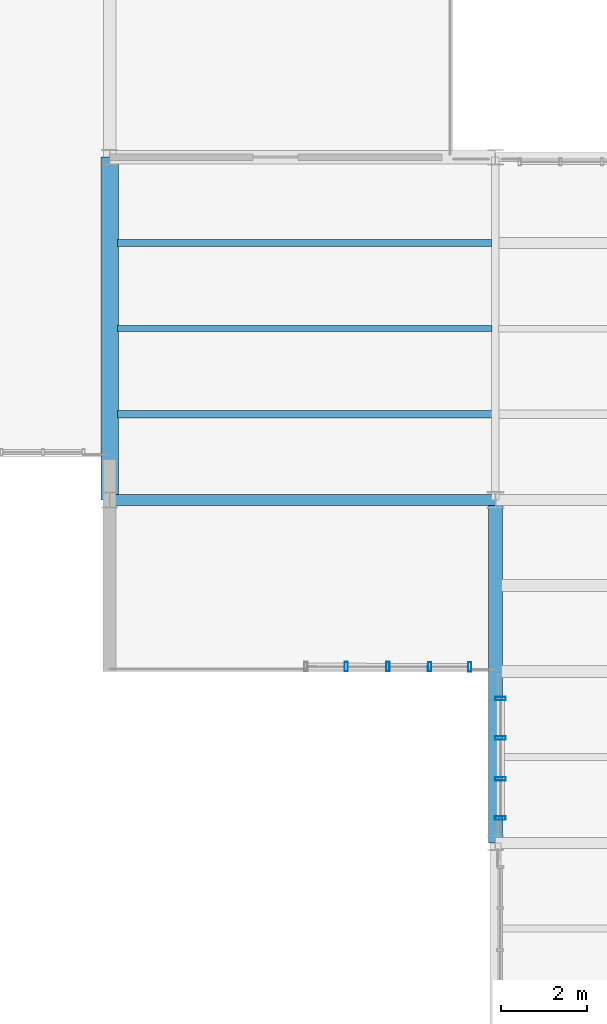
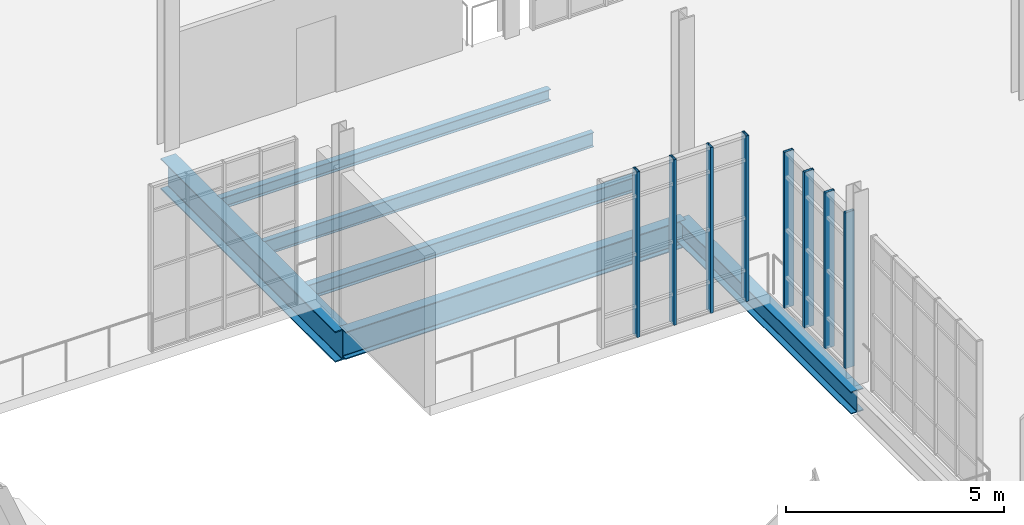
# One storey, part 52 of 142: 8 members, 6 beams, 2 elements without a shape of their own.
"""IFC4 building model written with IfcOpenShell, lengths in metres."""

from ifc_helpers import new_model, si_unit, direction, frame, origin, origin_2d, place, context, subcontext, project, spatial, hollow_rectangle, i_section, extrude, material, layer, layer_set, material_profile, profile_set, type_object, element, aggregate, save


model = new_model("IFC4")

# Units and contexts
model_context = context("Model", 3, precision=1e-05, world=origin(), true_north=direction((0.0, 1.0)))
body_context = subcontext(model_context, "Body", "Model", "MODEL_VIEW")
ifc_project = project(units=[si_unit("LENGTHUNIT", "METRE"), si_unit("AREAUNIT", "SQUARE_METRE"), si_unit("VOLUMEUNIT", "CUBIC_METRE"), si_unit("PLANEANGLEUNIT", "RADIAN"), si_unit("MASSUNIT", "GRAM", prefix="KILO"), si_unit("THERMODYNAMICTEMPERATUREUNIT", "KELVIN"), si_unit("POWERUNIT", "WATT")], contexts=[model_context])

# Site, building, storey
site_placement = place(None, origin())
site = spatial("IfcSite", under=ifc_project, at=site_placement, CompositionType="ELEMENT")
building_placement = place(site_placement, origin())
building = spatial("IfcBuilding", under=site, at=building_placement, Name="Zelmaris Science Centre", CompositionType="ELEMENT")
storey_placement = place(building_placement, frame((0.0, 0.0, 5.39990234375)))
storey = spatial("IfcBuildingStorey", under=building, at=storey_placement, Name="L01", CompositionType="ELEMENT", Elevation=5.39990234375)

# Curtain wall, members
ifc_material_1 = material(Name="Anodised architectural aluminium 6063-T6", Category="aluminium")
ifc_layer_1 = layer(ifc_material_1, 0.199951171875, Name="Anodised architectural aluminium 6063-T6")
ifc_layer_set_1 = layer_set([ifc_layer_1], Name="Anodised architectural aluminium 6063-T6")
curtain_wall_type_1 = type_object("IfcCurtainWallType", Name="Curtain Wall CW-02", PredefinedType="USERDEFINED", material=ifc_layer_set_1)
curtain_wall_1_placement = place(storey_placement, origin())
curtain_wall_1 = element("IfcCurtainWall", 1, at=curtain_wall_1_placement, inside=storey, type_object=curtain_wall_type_1, Name="L01 Unitised curtain wall 182", ObjectType="GLAZED CURTAIN WALL", PredefinedType="USERDEFINED")
ifc_material_profile_1 = material_profile(ifc_material_1, hollow_rectangle(XDim=0.074951171875, YDim=0.219970703125, WallThickness=0.0048828125, at=origin_2d()), Name="ALU-MUL-75X220")
ifc_profile_set_1 = profile_set([ifc_material_profile_1], Name="Anodised architectural aluminium 6063-T6")
member_type_1 = type_object("IfcMemberType", Name="ALU-MUL-75X220", PredefinedType="MULLION", material=ifc_profile_set_1)
member_1_placement = place(storey_placement, frame((116.40478515625, 44.107177734375, -0.014892578125), z_axis=(0.0, 0.0, 1.0), x_axis=(-0.999998836551, 0.001525417175, 0.0)))
member_1 = element("IfcMember", 2, at=member_1_placement, type_object=member_type_1, Name="CW-02 mullion 1", PredefinedType="MULLION", context=body_context, shape_type="SweptSolid", body=[
    extrude(hollow_rectangle(XDim=0.074951171875, YDim=0.219970703125, WallThickness=0.0048828125, at=origin_2d()), origin(), (0.0, 0.0, 1.0), 4.635009765625),
])
member_2_placement = place(storey_placement, frame((115.466064453125, 44.108642578125, -0.014892578125), z_axis=(0.0, 0.0, 1.0), x_axis=(-0.999998836551, 0.001525417175, 0.0)))
member_2 = element("IfcMember", 3, at=member_2_placement, type_object=member_type_1, Name="CW-02 mullion 2", PredefinedType="MULLION", context=body_context, shape_type="SweptSolid", body=[
    extrude(hollow_rectangle(XDim=0.074951171875, YDim=0.219970703125, WallThickness=0.0048828125, at=origin_2d()), origin(), (0.0, 0.0, 1.0), 4.635009765625),
])
member_3_placement = place(storey_placement, frame((114.493896484375, 44.110107421875, -0.014892578125), z_axis=(0.0, 0.0, 1.0), x_axis=(-0.999998836551, 0.001525417175, 0.0)))
member_3 = element("IfcMember", 4, at=member_3_placement, type_object=member_type_1, Name="CW-02 mullion 3", PredefinedType="MULLION", context=body_context, shape_type="SweptSolid", body=[
    extrude(hollow_rectangle(XDim=0.074951171875, YDim=0.219970703125, WallThickness=0.0048828125, at=origin_2d()), origin(), (0.0, 0.0, 1.0), 4.635009765625),
])
member_4_placement = place(storey_placement, frame((113.521484375, 44.111572265625, -0.014892578125), z_axis=(0.0, 0.0, 1.0), x_axis=(-0.999998836551, 0.001525417175, 0.0)))
member_4 = element("IfcMember", 5, at=member_4_placement, type_object=member_type_1, Name="CW-02 mullion 4", PredefinedType="MULLION", context=body_context, shape_type="SweptSolid", body=[
    extrude(hollow_rectangle(XDim=0.074951171875, YDim=0.219970703125, WallThickness=0.0048828125, at=origin_2d()), origin(), (0.0, 0.0, 1.0), 4.635009765625),
])
aggregate(curtain_wall_1, [member_1, member_2, member_3, member_4])

ifc_layer_2 = layer(ifc_material_1, 0.18994140625, Name="Anodised architectural aluminium 6063-T6")
ifc_layer_set_2 = layer_set([ifc_layer_2], Name="Anodised architectural aluminium 6063-T6")
curtain_wall_type_2 = type_object("IfcCurtainWallType", Name="Curtain Wall CW-01", PredefinedType="USERDEFINED", material=ifc_layer_set_2)
curtain_wall_2_placement = place(storey_placement, origin())
curtain_wall_2 = element("IfcCurtainWall", 6, at=curtain_wall_2_placement, inside=storey, type_object=curtain_wall_type_2, Name="L01 Unitised curtain wall 181", ObjectType="GLAZED CURTAIN WALL", PredefinedType="USERDEFINED")
ifc_material_profile_2 = material_profile(ifc_material_1, hollow_rectangle(XDim=0.080078125, YDim=0.25, WallThickness=0.0048828125, at=origin_2d()), Name="ALU-MUL-80X250")
ifc_profile_set_2 = profile_set([ifc_material_profile_2], Name="Anodised architectural aluminium 6063-T6")
member_type_2 = type_object("IfcMemberType", Name="ALU-MUL-80X250", PredefinedType="MULLION", material=ifc_profile_set_2)
member_5_placement = place(storey_placement, frame((117.116455078125, 40.575927734375, -0.014892578125), z_axis=(0.0, 0.0, 1.0), x_axis=(0.001019272107, 0.999999480542, 0.0)))
member_5 = element("IfcMember", 7, at=member_5_placement, type_object=member_type_2, Name="CW-01 mullion 1", PredefinedType="MULLION", context=body_context, shape_type="SweptSolid", body=[
    extrude(hollow_rectangle(XDim=0.080078125, YDim=0.25, WallThickness=0.0048828125, at=origin_2d()), origin(), (0.0, 0.0, 1.0), 4.363037109375),
])
member_6_placement = place(storey_placement, frame((117.117431640625, 41.4931640625, -0.014892578125), z_axis=(0.0, 0.0, 1.0), x_axis=(0.001019272107, 0.999999480542, 0.0)))
member_6 = element("IfcMember", 8, at=member_6_placement, type_object=member_type_2, Name="CW-01 mullion 2", PredefinedType="MULLION", context=body_context, shape_type="SweptSolid", body=[
    extrude(hollow_rectangle(XDim=0.080078125, YDim=0.25, WallThickness=0.0048828125, at=origin_2d()), origin(), (0.0, 0.0, 1.0), 4.363037109375),
])
member_7_placement = place(storey_placement, frame((117.118408203125, 42.446533203125, -0.014892578125), z_axis=(0.0, 0.0, 1.0), x_axis=(0.001019272107, 0.999999480542, 0.0)))
member_7 = element("IfcMember", 9, at=member_7_placement, type_object=member_type_2, Name="CW-01 mullion 3", PredefinedType="MULLION", context=body_context, shape_type="SweptSolid", body=[
    extrude(hollow_rectangle(XDim=0.080078125, YDim=0.25, WallThickness=0.0048828125, at=origin_2d()), origin(), (0.0, 0.0, 1.0), 4.363037109375),
])
member_8_placement = place(storey_placement, frame((117.119384765625, 43.364013671875, -0.014892578125), z_axis=(0.0, 0.0, 1.0), x_axis=(0.001019272107, 0.999999480542, 0.0)))
member_8 = element("IfcMember", 10, at=member_8_placement, type_object=member_type_2, Name="CW-01 mullion 4", PredefinedType="MULLION", context=body_context, shape_type="SweptSolid", body=[
    extrude(hollow_rectangle(XDim=0.080078125, YDim=0.25, WallThickness=0.0048828125, at=origin_2d()), origin(), (0.0, 0.0, 1.0), 4.363037109375),
])
aggregate(curtain_wall_2, [member_5, member_6, member_7, member_8])

# Beams
ifc_material_2 = material(Name="Steel ASTM A992 Grade 50", Category="steel")
ifc_material_profile_3 = material_profile(ifc_material_2, i_section(OverallWidth=0.26708984375, OverallDepth=0.77001953125, WebThickness=0.015625, FlangeThickness=0.025390625, FilletRadius=0.01904296875, at=origin_2d()), Name="W30X132")
ifc_profile_set_3 = profile_set([ifc_material_profile_3], Name="Steel ASTM A992 Grade 50")
beam_type_1 = type_object("IfcBeamType", Name="Beam G-09 W30X132", PredefinedType="BEAM", material=ifc_profile_set_3)
beam_1_placement = place(storey_placement, frame((108.0, 48.0, -0.664794921875), z_axis=(1.0, 0.0, 0.0), x_axis=(0.0, 1.0, 0.0)))
element("IfcBeam", 11, at=beam_1_placement, inside=storey, type_object=beam_type_1, Name="L01 East-west girder 376", PredefinedType="BEAM", context=body_context, shape_type="SweptSolid", body=[
    extrude(i_section(OverallWidth=0.26708984375, OverallDepth=0.77001953125, WebThickness=0.015625, FlangeThickness=0.025390625, FilletRadius=0.01904296875, at=origin_2d()), origin(), (0.0, 0.0, 1.0), 9.0),
])
ifc_material_profile_4 = material_profile(ifc_material_2, i_section(OverallWidth=0.404052734375, OverallDepth=0.861083984375, WebThickness=0.019775390625, FlangeThickness=0.032470703125, FilletRadius=0.02001953125, at=origin_2d()), Name="W33X221")
ifc_profile_set_4 = profile_set([ifc_material_profile_4], Name="Steel ASTM A992 Grade 50")
beam_type_2 = type_object("IfcBeamType", Name="Beam G-28 W33X221", PredefinedType="BEAM", material=ifc_profile_set_4)
beam_2_placement = place(storey_placement, frame((108.0, 48.0, -0.71044921875), z_axis=(0.0, 1.0, 0.0), x_axis=(-1.0, 0.0, 0.0)))
element("IfcBeam", 12, at=beam_2_placement, inside=storey, type_object=beam_type_2, Name="L01 North-south girder 296", PredefinedType="BEAM", context=body_context, shape_type="SweptSolid", body=[
    extrude(i_section(OverallWidth=0.404052734375, OverallDepth=0.861083984375, WebThickness=0.019775390625, FlangeThickness=0.032470703125, FilletRadius=0.02001953125, at=origin_2d()), origin(), (0.0, 0.0, 1.0), 8.0),
])
ifc_material_profile_5 = material_profile(ifc_material_2, i_section(OverallWidth=0.327880859375, OverallDepth=0.626953125, WebThickness=0.0166015625, FlangeThickness=0.027587890625, FilletRadius=0.014892578125, at=origin_2d()), Name="W24X146")
ifc_profile_set_5 = profile_set([ifc_material_profile_5], Name="Steel ASTM A992 Grade 50")
beam_type_3 = type_object("IfcBeamType", Name="Beam G-37 W24X146", PredefinedType="BEAM", material=ifc_profile_set_5)
beam_3_placement = place(storey_placement, frame((117.0, 40.0, -0.593505859375), z_axis=(0.0, 1.0, 0.0), x_axis=(-1.0, 0.0, 0.0)))
element("IfcBeam", 13, at=beam_3_placement, inside=storey, type_object=beam_type_3, Name="L01 North-south girder 305", PredefinedType="BEAM", context=body_context, shape_type="SweptSolid", body=[
    extrude(i_section(OverallWidth=0.327880859375, OverallDepth=0.626953125, WebThickness=0.0166015625, FlangeThickness=0.027587890625, FilletRadius=0.014892578125, at=origin_2d()), origin(), (0.0, 0.0, 1.0), 8.0),
])
ifc_material_profile_6 = material_profile(ifc_material_2, i_section(OverallWidth=0.177978515625, OverallDepth=0.408935546875, WebThickness=0.0087890625, FlangeThickness=0.014404296875, FilletRadius=0.011962890625, at=origin_2d()), Name="W16X45")
ifc_profile_set_6 = profile_set([ifc_material_profile_6], Name="Steel ASTM A992 Grade 50")
beam_type_4 = type_object("IfcBeamType", Name="Beam J-07 W16X45", PredefinedType="JOIST", material=ifc_profile_set_6)
beam_4_placement = place(storey_placement, frame((108.18701171875, 50.0, -0.484375), z_axis=(1.0, 0.0, 0.0), x_axis=(0.0, 1.0, 0.0)))
element("IfcBeam", 14, at=beam_4_placement, inside=storey, type_object=beam_type_4, Name="L01 Composite floor joist 168", PredefinedType="JOIST", context=body_context, shape_type="SweptSolid", body=[
    extrude(i_section(OverallWidth=0.177978515625, OverallDepth=0.408935546875, WebThickness=0.0087890625, FlangeThickness=0.014404296875, FilletRadius=0.011962890625, at=origin_2d()), origin(), (0.0, 0.0, 1.0), 8.739013671875),
])
ifc_material_profile_7 = material_profile(ifc_material_2, i_section(OverallWidth=0.139892578125, OverallDepth=0.404052734375, WebThickness=0.007080078125, FlangeThickness=0.01123046875, FilletRadius=0.011962890625, at=origin_2d()), Name="W16X31")
ifc_profile_set_7 = profile_set([ifc_material_profile_7], Name="Steel ASTM A992 Grade 50")
beam_type_5 = type_object("IfcBeamType", Name="Beam J-08 W16X31", PredefinedType="JOIST", material=ifc_profile_set_7)
beam_5_placement = place(storey_placement, frame((108.18701171875, 52.0, -0.48193359375), z_axis=(1.0, 0.0, 0.0), x_axis=(0.0, 1.0, 0.0)))
element("IfcBeam", 15, at=beam_5_placement, inside=storey, type_object=beam_type_5, Name="L01 Composite floor joist 169", PredefinedType="JOIST", context=body_context, shape_type="SweptSolid", body=[
    extrude(i_section(OverallWidth=0.139892578125, OverallDepth=0.404052734375, WebThickness=0.007080078125, FlangeThickness=0.01123046875, FilletRadius=0.011962890625, at=origin_2d()), origin(), (0.0, 0.0, 1.0), 8.739013671875),
])
ifc_material_profile_8 = material_profile(ifc_material_2, i_section(OverallWidth=0.1669921875, OverallDepth=0.318115234375, WebThickness=0.007568359375, FlangeThickness=0.01318359375, FilletRadius=0.011962890625, at=origin_2d()), Name="W12X35")
ifc_profile_set_8 = profile_set([ifc_material_profile_8], Name="Steel ASTM A992 Grade 50")
beam_type_6 = type_object("IfcBeamType", Name="Beam J-09 W12X35", PredefinedType="JOIST", material=ifc_profile_set_8)
beam_6_placement = place(storey_placement, frame((108.18701171875, 54.0, -0.43896484375), z_axis=(1.0, 0.0, 0.0), x_axis=(0.0, 1.0, 0.0)))
element("IfcBeam", 16, at=beam_6_placement, inside=storey, type_object=beam_type_6, Name="L01 Composite floor joist 170", PredefinedType="JOIST", context=body_context, shape_type="SweptSolid", body=[
    extrude(i_section(OverallWidth=0.1669921875, OverallDepth=0.318115234375, WebThickness=0.007568359375, FlangeThickness=0.01318359375, FilletRadius=0.011962890625, at=origin_2d()), origin(), (0.0, 0.0, 1.0), 8.739013671875),
])

save(model, "model.ifc")
